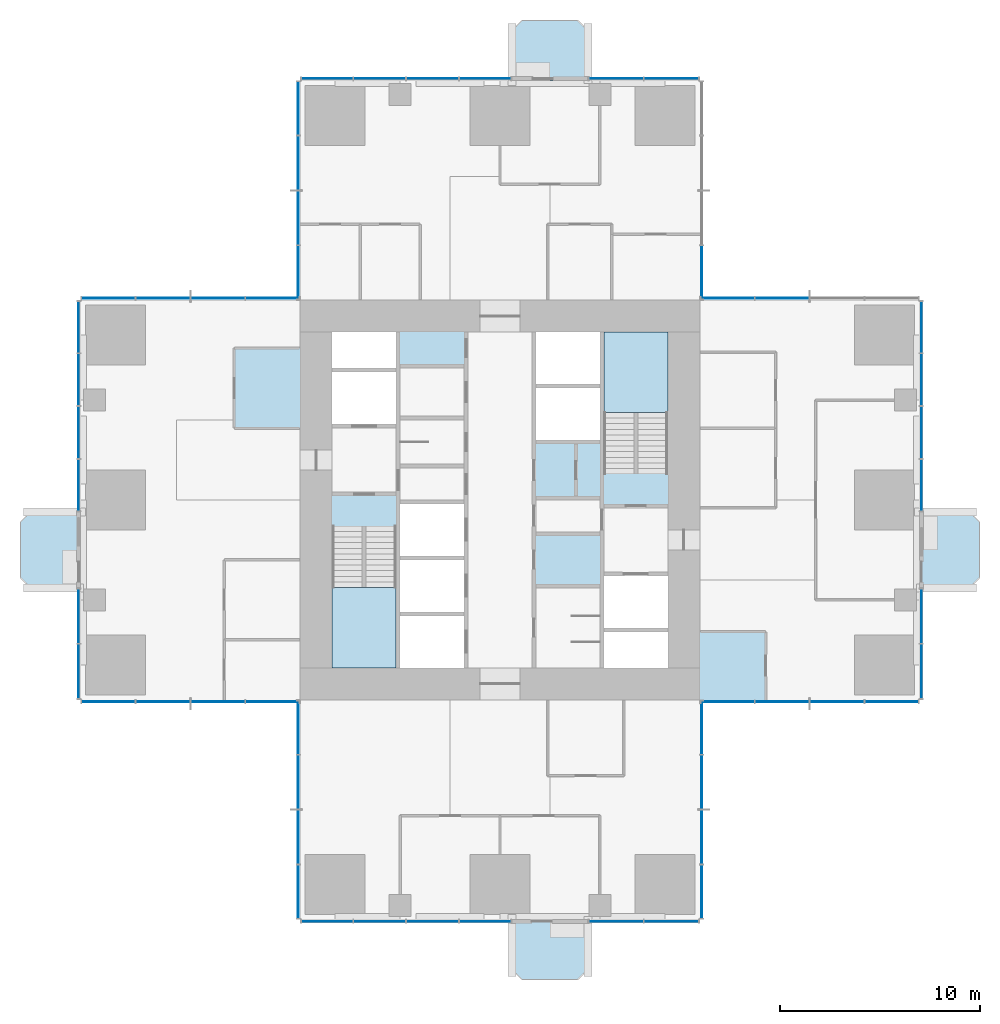
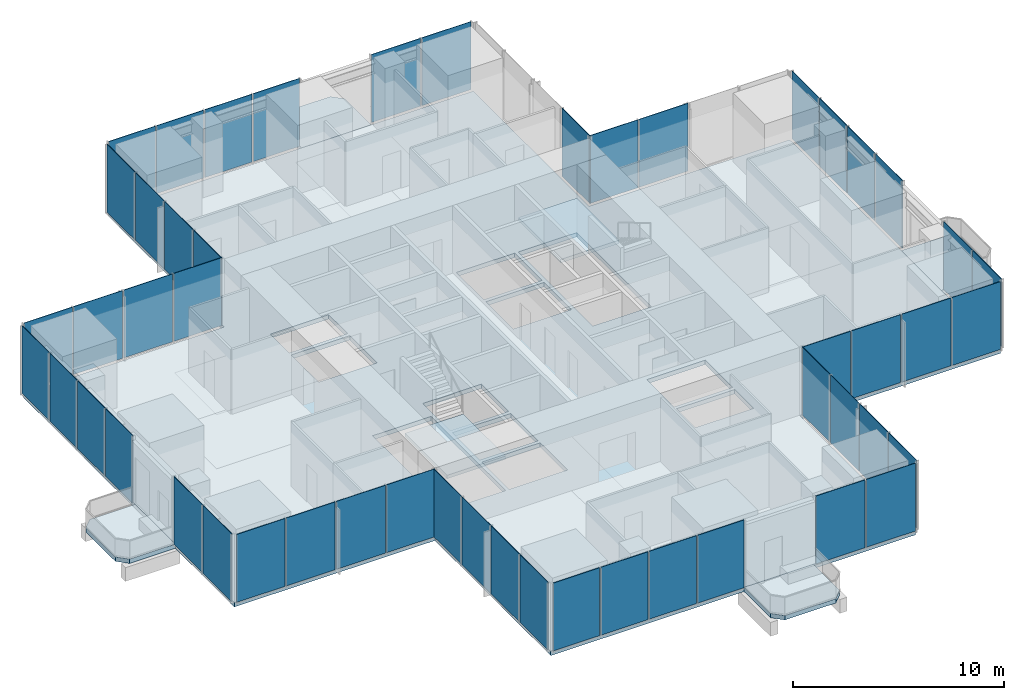
# One storey, part 7 of 13: 51 plates, 7 slabs, 18 elements without a shape of their own.
"""IFC4 building model written with IfcOpenShell, lengths in metres."""

from ifc_helpers import new_model, si_unit, direction, frame, origin, origin_2d, place, context, subcontext, project, spatial, polyline, rectangle, outline, extrude, material, layer, layer_set, type_object, element, aggregate, save


model = new_model("IFC4")

# Units and contexts
model_context = context("Model", 3, precision=1e-05, world=origin(), true_north=direction((0.0, 1.0)))
body_context = subcontext(model_context, "Body", "Model", "MODEL_VIEW")
ifc_project = project(units=[si_unit("LENGTHUNIT", "METRE"), si_unit("AREAUNIT", "SQUARE_METRE"), si_unit("VOLUMEUNIT", "CUBIC_METRE"), si_unit("PLANEANGLEUNIT", "RADIAN"), si_unit("MASSUNIT", "GRAM", prefix="KILO")], contexts=[model_context])

# Site, building, storey
site_placement = place(None, origin())
site = spatial("IfcSite", under=ifc_project, at=site_placement, CompositionType="ELEMENT")
building_placement = place(site_placement, origin())
building = spatial("IfcBuilding", under=site, at=building_placement, Name="Svetlomir Tower", CompositionType="ELEMENT")
storey_placement = place(building_placement, frame((0.0, 0.0, 152.5)))
storey = spatial("IfcBuildingStorey", under=building, at=storey_placement, Name="L36", CompositionType="ELEMENT", Elevation=152.5)

# Slabs
ifc_material_1 = material(Name="Concrete C60/75", Category="concrete")
ifc_layer_1 = layer(ifc_material_1, 0.25)
ifc_layer_set_1 = layer_set([ifc_layer_1], Name="Concrete C60/75")
slab_type_1 = type_object("IfcSlabType", Name="BALCONY SLAB 250", PredefinedType="FLOOR", material=ifc_layer_set_1)
slab_1_placement = place(storey_placement, frame((0.0, 0.0, -0.25)))
element("IfcSlab", 1, at=slab_1_placement, inside=storey, type_object=slab_type_1, Name="L36 S planted balcony", PredefinedType="FLOOR", context=body_context, shape_type="SweptSolid", body=[
    extrude(outline(polyline([(21.60009765625, -2.5), (22.10009765625, -3.0), (24.89990234375, -3.0), (25.39990234375, -2.5), (25.39990234375, 0.0), (21.60009765625, 0.0), (21.60009765625, -2.5)])), origin(), (0.0, 0.0, 1.0), 0.25),
])
slab_2_placement = place(storey_placement, frame((0.0, 0.0, -0.25)))
element("IfcSlab", 2, at=slab_2_placement, inside=storey, type_object=slab_type_1, Name="L36 E planted balcony", PredefinedType="FLOOR", context=body_context, shape_type="SweptSolid", body=[
    extrude(outline(polyline([(42.0, 16.60009765625), (44.5, 16.60009765625), (45.0, 17.10009765625), (45.0, 19.89990234375), (44.5, 20.39990234375), (42.0, 20.39990234375), (42.0, 16.60009765625)])), origin(), (0.0, 0.0, 1.0), 0.25),
])
slab_3_placement = place(storey_placement, frame((0.0, 0.0, -0.25)))
element("IfcSlab", 3, at=slab_3_placement, inside=storey, type_object=slab_type_1, Name="L36 N planted balcony", PredefinedType="FLOOR", context=body_context, shape_type="SweptSolid", body=[
    extrude(outline(polyline([(21.60009765625, 42.0), (25.39990234375, 42.0), (25.39990234375, 44.5), (24.89990234375, 45.0), (22.10009765625, 45.0), (21.60009765625, 44.5), (21.60009765625, 42.0)])), origin(), (0.0, 0.0, 1.0), 0.25),
])
slab_4_placement = place(storey_placement, frame((0.0, 0.0, -0.25)))
element("IfcSlab", 4, at=slab_4_placement, inside=storey, type_object=slab_type_1, Name="L36 W planted balcony", PredefinedType="FLOOR", context=body_context, shape_type="SweptSolid", body=[
    extrude(outline(polyline([(-2.5, 16.60009765625), (0.0, 16.60009765625), (0.0, 20.39990234375), (-2.5, 20.39990234375), (-3.0, 19.89990234375), (-3.0, 17.10009765625), (-2.5, 16.60009765625)])), origin(), (0.0, 0.0, 1.0), 0.25),
])

# Curtain wall, plates
ifc_material_2 = material(Name="Bronze anodised aluminium curtain wall", Category="aluminium")
curtain_wall_type = type_object("IfcCurtainWallType", Name="CURTAIN WALL CW1 TOWER OFFICE", PredefinedType="NOTDEFINED", material=ifc_material_2)
curtain_wall_1_placement = place(storey_placement, origin())
curtain_wall_1 = element("IfcCurtainWall", 5, at=curtain_wall_1_placement, inside=storey, type_object=curtain_wall_type, Name="Curtain wall CW1 L36", PredefinedType="NOTDEFINED")
ifc_material_3 = material(Name="Tinted double glazed unit", Category="glass")
ifc_layer_2 = layer(ifc_material_3, 0.031982421875)
ifc_layer_set_2 = layer_set([ifc_layer_2], Name="Tinted double glazed unit")
plate_type = type_object("IfcPlateType", Name="CW1 GLAZED PANEL 32", PredefinedType="CURTAIN_PANEL", material=ifc_layer_set_2)
plate_1_placement = place(storey_placement, frame((12.34130859375, -0.10009765625, 0.06494140625), z_axis=(0.0, 0.0, 1.0), x_axis=(1.0, 0.0, 0.0)))
plate_1 = element("IfcPlate", 6, at=plate_1_placement, type_object=plate_type, Name="CW1 panel 1.1", PredefinedType="CURTAIN_PANEL", context=body_context, shape_type="SweptSolid", body=[
    extrude(rectangle(XDim=2.552490234375, YDim=0.031982421875, at=origin_2d()), origin(), (0.0, 0.0, 1.0), 3.93505859375),
])
plate_2_placement = place(storey_placement, frame((14.97509765625, -0.10009765625, 0.06494140625), z_axis=(0.0, 0.0, 1.0), x_axis=(1.0, 0.0, 0.0)))
plate_2 = element("IfcPlate", 7, at=plate_2_placement, type_object=plate_type, Name="CW1 panel 2.1", PredefinedType="CURTAIN_PANEL", context=body_context, shape_type="SweptSolid", body=[
    extrude(rectangle(XDim=2.5849609375, YDim=0.031982421875, at=origin_2d()), origin(), (0.0, 0.0, 1.0), 3.93505859375),
])
plate_3_placement = place(storey_placement, frame((17.625, -0.10009765625, 0.06494140625), z_axis=(0.0, 0.0, 1.0), x_axis=(1.0, 0.0, 0.0)))
plate_3 = element("IfcPlate", 8, at=plate_3_placement, type_object=plate_type, Name="CW1 panel 3.1", PredefinedType="CURTAIN_PANEL", context=body_context, shape_type="SweptSolid", body=[
    extrude(rectangle(XDim=2.5849609375, YDim=0.031982421875, at=origin_2d()), origin(), (0.0, 0.0, 1.0), 3.93505859375),
])
plate_4_placement = place(storey_placement, frame((20.2587890625, -0.10009765625, 0.06494140625), z_axis=(0.0, 0.0, 1.0), x_axis=(1.0, 0.0, 0.0)))
plate_4 = element("IfcPlate", 9, at=plate_4_placement, type_object=plate_type, Name="CW1 panel 4.1", PredefinedType="CURTAIN_PANEL", context=body_context, shape_type="SweptSolid", body=[
    extrude(rectangle(XDim=2.552490234375, YDim=0.031982421875, at=origin_2d()), origin(), (0.0, 0.0, 1.0), 3.93505859375),
])
aggregate(curtain_wall_1, [plate_1, plate_2, plate_3, plate_4])

curtain_wall_2_placement = place(storey_placement, origin())
curtain_wall_2 = element("IfcCurtainWall", 10, at=curtain_wall_2_placement, inside=storey, type_object=curtain_wall_type, Name="Curtain wall CW1 L36", PredefinedType="NOTDEFINED")
plate_5_placement = place(storey_placement, frame((26.816162109375, -0.10009765625, 0.06494140625), z_axis=(0.0, 0.0, 1.0), x_axis=(1.0, 0.0, 0.0)))
plate_5 = element("IfcPlate", 11, at=plate_5_placement, type_object=plate_type, Name="CW1 panel 1.1", PredefinedType="CURTAIN_PANEL", context=body_context, shape_type="SweptSolid", body=[
    extrude(rectangle(XDim=2.702392578125, YDim=0.031982421875, at=origin_2d()), origin(), (0.0, 0.0, 1.0), 3.93505859375),
])
plate_6_placement = place(storey_placement, frame((29.583740234375, -0.10009765625, 0.06494140625), z_axis=(0.0, 0.0, 1.0), x_axis=(1.0, 0.0, 0.0)))
plate_6 = element("IfcPlate", 12, at=plate_6_placement, type_object=plate_type, Name="CW1 panel 2.1", PredefinedType="CURTAIN_PANEL", context=body_context, shape_type="SweptSolid", body=[
    extrude(rectangle(XDim=2.702392578125, YDim=0.031982421875, at=origin_2d()), origin(), (0.0, 0.0, 1.0), 3.93505859375),
])
aggregate(curtain_wall_2, [plate_5, plate_6])

curtain_wall_3_placement = place(storey_placement, origin())
curtain_wall_3 = element("IfcCurtainWall", 13, at=curtain_wall_3_placement, inside=storey, type_object=curtain_wall_type, Name="Curtain wall CW1 L36", PredefinedType="NOTDEFINED")
plate_7_placement = place(storey_placement, frame((31.10009765625, 1.391357421875, 0.06494140625), z_axis=(0.0, 0.0, 1.0), x_axis=(0.0, 1.0, 0.0)))
plate_7 = element("IfcPlate", 14, at=plate_7_placement, type_object=plate_type, Name="CW1 panel 1.1", PredefinedType="CURTAIN_PANEL", context=body_context, shape_type="SweptSolid", body=[
    extrude(rectangle(XDim=2.652587890625, YDim=0.031982421875, at=origin_2d()), origin(), (0.0, 0.0, 1.0), 3.93505859375),
])
plate_8_placement = place(storey_placement, frame((31.10009765625, 4.125, 0.06494140625), z_axis=(0.0, 0.0, 1.0), x_axis=(0.0, 1.0, 0.0)))
plate_8 = element("IfcPlate", 15, at=plate_8_placement, type_object=plate_type, Name="CW1 panel 2.1", PredefinedType="CURTAIN_PANEL", context=body_context, shape_type="SweptSolid", body=[
    extrude(rectangle(XDim=2.68505859375, YDim=0.031982421875, at=origin_2d()), origin(), (0.0, 0.0, 1.0), 3.93505859375),
])
plate_9_placement = place(storey_placement, frame((31.10009765625, 6.875, 0.06494140625), z_axis=(0.0, 0.0, 1.0), x_axis=(0.0, 1.0, 0.0)))
plate_9 = element("IfcPlate", 16, at=plate_9_placement, type_object=plate_type, Name="CW1 panel 3.1", PredefinedType="CURTAIN_PANEL", context=body_context, shape_type="SweptSolid", body=[
    extrude(rectangle(XDim=2.68505859375, YDim=0.031982421875, at=origin_2d()), origin(), (0.0, 0.0, 1.0), 3.93505859375),
])
plate_10_placement = place(storey_placement, frame((31.10009765625, 9.608642578125, 0.06494140625), z_axis=(0.0, 0.0, 1.0), x_axis=(0.0, 1.0, 0.0)))
plate_10 = element("IfcPlate", 17, at=plate_10_placement, type_object=plate_type, Name="CW1 panel 4.1", PredefinedType="CURTAIN_PANEL", context=body_context, shape_type="SweptSolid", body=[
    extrude(rectangle(XDim=2.652587890625, YDim=0.031982421875, at=origin_2d()), origin(), (0.0, 0.0, 1.0), 3.93505859375),
])
aggregate(curtain_wall_3, [plate_7, plate_8, plate_9, plate_10])

curtain_wall_4_placement = place(storey_placement, origin())
curtain_wall_4 = element("IfcCurtainWall", 18, at=curtain_wall_4_placement, inside=storey, type_object=curtain_wall_type, Name="Curtain wall CW1 L36", PredefinedType="NOTDEFINED")
plate_11_placement = place(storey_placement, frame((32.391357421875, 10.89990234375, 0.06494140625), z_axis=(0.0, 0.0, 1.0), x_axis=(1.0, 0.0, 0.0)))
plate_11 = element("IfcPlate", 19, at=plate_11_placement, type_object=plate_type, Name="CW1 panel 1.1", PredefinedType="CURTAIN_PANEL", context=body_context, shape_type="SweptSolid", body=[
    extrude(rectangle(XDim=2.652587890625, YDim=0.031982421875, at=origin_2d()), origin(), (0.0, 0.0, 1.0), 3.93505859375),
])
plate_12_placement = place(storey_placement, frame((35.125, 10.89990234375, 0.06494140625), z_axis=(0.0, 0.0, 1.0), x_axis=(1.0, 0.0, 0.0)))
plate_12 = element("IfcPlate", 20, at=plate_12_placement, type_object=plate_type, Name="CW1 panel 2.1", PredefinedType="CURTAIN_PANEL", context=body_context, shape_type="SweptSolid", body=[
    extrude(rectangle(XDim=2.68505859375, YDim=0.031982421875, at=origin_2d()), origin(), (0.0, 0.0, 1.0), 3.93505859375),
])
plate_13_placement = place(storey_placement, frame((37.875, 10.89990234375, 0.06494140625), z_axis=(0.0, 0.0, 1.0), x_axis=(1.0, 0.0, 0.0)))
plate_13 = element("IfcPlate", 21, at=plate_13_placement, type_object=plate_type, Name="CW1 panel 3.1", PredefinedType="CURTAIN_PANEL", context=body_context, shape_type="SweptSolid", body=[
    extrude(rectangle(XDim=2.68505859375, YDim=0.031982421875, at=origin_2d()), origin(), (0.0, 0.0, 1.0), 3.93505859375),
])
plate_14_placement = place(storey_placement, frame((40.608642578125, 10.89990234375, 0.06494140625), z_axis=(0.0, 0.0, 1.0), x_axis=(1.0, 0.0, 0.0)))
plate_14 = element("IfcPlate", 22, at=plate_14_placement, type_object=plate_type, Name="CW1 panel 4.1", PredefinedType="CURTAIN_PANEL", context=body_context, shape_type="SweptSolid", body=[
    extrude(rectangle(XDim=2.652587890625, YDim=0.031982421875, at=origin_2d()), origin(), (0.0, 0.0, 1.0), 3.93505859375),
])
aggregate(curtain_wall_4, [plate_11, plate_12, plate_13, plate_14])

curtain_wall_5_placement = place(storey_placement, origin())
curtain_wall_5 = element("IfcCurtainWall", 23, at=curtain_wall_5_placement, inside=storey, type_object=curtain_wall_type, Name="Curtain wall CW1 L36", PredefinedType="NOTDEFINED")
plate_15_placement = place(storey_placement, frame((42.10009765625, 12.416259765625, 0.06494140625), z_axis=(0.0, 0.0, 1.0), x_axis=(0.0, 1.0, 0.0)))
plate_15 = element("IfcPlate", 24, at=plate_15_placement, type_object=plate_type, Name="CW1 panel 1.1", PredefinedType="CURTAIN_PANEL", context=body_context, shape_type="SweptSolid", body=[
    extrude(rectangle(XDim=2.702392578125, YDim=0.031982421875, at=origin_2d()), origin(), (0.0, 0.0, 1.0), 3.93505859375),
])
plate_16_placement = place(storey_placement, frame((42.10009765625, 15.183837890625, 0.06494140625), z_axis=(0.0, 0.0, 1.0), x_axis=(0.0, 1.0, 0.0)))
plate_16 = element("IfcPlate", 25, at=plate_16_placement, type_object=plate_type, Name="CW1 panel 2.1", PredefinedType="CURTAIN_PANEL", context=body_context, shape_type="SweptSolid", body=[
    extrude(rectangle(XDim=2.702392578125, YDim=0.031982421875, at=origin_2d()), origin(), (0.0, 0.0, 1.0), 3.93505859375),
])
aggregate(curtain_wall_5, [plate_15, plate_16])

curtain_wall_6_placement = place(storey_placement, origin())
curtain_wall_6 = element("IfcCurtainWall", 26, at=curtain_wall_6_placement, inside=storey, type_object=curtain_wall_type, Name="Curtain wall CW1 L36", PredefinedType="NOTDEFINED")
plate_17_placement = place(storey_placement, frame((42.10009765625, 21.7412109375, 0.06494140625), z_axis=(0.0, 0.0, 1.0), x_axis=(0.0, 1.0, 0.0)))
plate_17 = element("IfcPlate", 27, at=plate_17_placement, type_object=plate_type, Name="CW1 panel 1.1", PredefinedType="CURTAIN_PANEL", context=body_context, shape_type="SweptSolid", body=[
    extrude(rectangle(XDim=2.552490234375, YDim=0.031982421875, at=origin_2d()), origin(), (0.0, 0.0, 1.0), 3.93505859375),
])
plate_18_placement = place(storey_placement, frame((42.10009765625, 24.375, 0.06494140625), z_axis=(0.0, 0.0, 1.0), x_axis=(0.0, 1.0, 0.0)))
plate_18 = element("IfcPlate", 28, at=plate_18_placement, type_object=plate_type, Name="CW1 panel 2.1", PredefinedType="CURTAIN_PANEL", context=body_context, shape_type="SweptSolid", body=[
    extrude(rectangle(XDim=2.5849609375, YDim=0.031982421875, at=origin_2d()), origin(), (0.0, 0.0, 1.0), 3.93505859375),
])
plate_19_placement = place(storey_placement, frame((42.10009765625, 27.02490234375, 0.06494140625), z_axis=(0.0, 0.0, 1.0), x_axis=(0.0, 1.0, 0.0)))
plate_19 = element("IfcPlate", 29, at=plate_19_placement, type_object=plate_type, Name="CW1 panel 3.1", PredefinedType="CURTAIN_PANEL", context=body_context, shape_type="SweptSolid", body=[
    extrude(rectangle(XDim=2.5849609375, YDim=0.031982421875, at=origin_2d()), origin(), (0.0, 0.0, 1.0), 3.93505859375),
])
plate_20_placement = place(storey_placement, frame((42.10009765625, 29.65869140625, 0.06494140625), z_axis=(0.0, 0.0, 1.0), x_axis=(0.0, 1.0, 0.0)))
plate_20 = element("IfcPlate", 30, at=plate_20_placement, type_object=plate_type, Name="CW1 panel 4.1", PredefinedType="CURTAIN_PANEL", context=body_context, shape_type="SweptSolid", body=[
    extrude(rectangle(XDim=2.552490234375, YDim=0.031982421875, at=origin_2d()), origin(), (0.0, 0.0, 1.0), 3.93505859375),
])
aggregate(curtain_wall_6, [plate_17, plate_18, plate_19, plate_20])

curtain_wall_7_placement = place(storey_placement, origin())
curtain_wall_7 = element("IfcCurtainWall", 31, at=curtain_wall_7_placement, inside=storey, type_object=curtain_wall_type, Name="Curtain wall CW1 L36", PredefinedType="NOTDEFINED")
plate_21_placement = place(storey_placement, frame((35.125, 31.10009765625, 0.06494140625), z_axis=(0.0, 0.0, 1.0), x_axis=(-1.0, 0.0, 0.0)))
plate_21 = element("IfcPlate", 32, at=plate_21_placement, type_object=plate_type, Name="CW1 panel 3.1", PredefinedType="CURTAIN_PANEL", context=body_context, shape_type="SweptSolid", body=[
    extrude(rectangle(XDim=2.68505859375, YDim=0.031982421875, at=origin_2d()), origin(), (0.0, 0.0, 1.0), 3.93505859375),
])
plate_22_placement = place(storey_placement, frame((32.391357421875, 31.10009765625, 0.06494140625), z_axis=(0.0, 0.0, 1.0), x_axis=(-1.0, 0.0, 0.0)))
plate_22 = element("IfcPlate", 33, at=plate_22_placement, type_object=plate_type, Name="CW1 panel 4.1", PredefinedType="CURTAIN_PANEL", context=body_context, shape_type="SweptSolid", body=[
    extrude(rectangle(XDim=2.652587890625, YDim=0.031982421875, at=origin_2d()), origin(), (0.0, 0.0, 1.0), 3.93505859375),
])
aggregate(curtain_wall_7, [plate_21, plate_22])

# Curtain wall, plate
curtain_wall_8_placement = place(storey_placement, origin())
curtain_wall_8 = element("IfcCurtainWall", 34, at=curtain_wall_8_placement, inside=storey, type_object=curtain_wall_type, Name="Curtain wall CW1 L36", PredefinedType="NOTDEFINED")
plate_23_placement = place(storey_placement, frame((31.10009765625, 32.391357421875, 0.06494140625), z_axis=(0.0, 0.0, 1.0), x_axis=(0.0, 1.0, 0.0)))
plate_23 = element("IfcPlate", 35, at=plate_23_placement, type_object=plate_type, Name="CW1 panel 1.1", PredefinedType="CURTAIN_PANEL", context=body_context, shape_type="SweptSolid", body=[
    extrude(rectangle(XDim=2.652587890625, YDim=0.031982421875, at=origin_2d()), origin(), (0.0, 0.0, 1.0), 3.93505859375),
])
aggregate(curtain_wall_8, [plate_23])

# Curtain wall, plates
curtain_wall_9_placement = place(storey_placement, origin())
curtain_wall_9 = element("IfcCurtainWall", 36, at=curtain_wall_9_placement, inside=storey, type_object=curtain_wall_type, Name="Curtain wall CW1 L36", PredefinedType="NOTDEFINED")
plate_24_placement = place(storey_placement, frame((29.583740234375, 42.10009765625, 0.06494140625), z_axis=(0.0, 0.0, 1.0), x_axis=(-1.0, 0.0, 0.0)))
plate_24 = element("IfcPlate", 37, at=plate_24_placement, type_object=plate_type, Name="CW1 panel 1.1", PredefinedType="CURTAIN_PANEL", context=body_context, shape_type="SweptSolid", body=[
    extrude(rectangle(XDim=2.702392578125, YDim=0.031982421875, at=origin_2d()), origin(), (0.0, 0.0, 1.0), 3.93505859375),
])
plate_25_placement = place(storey_placement, frame((26.816162109375, 42.10009765625, 0.06494140625), z_axis=(0.0, 0.0, 1.0), x_axis=(-1.0, 0.0, 0.0)))
plate_25 = element("IfcPlate", 38, at=plate_25_placement, type_object=plate_type, Name="CW1 panel 2.1", PredefinedType="CURTAIN_PANEL", context=body_context, shape_type="SweptSolid", body=[
    extrude(rectangle(XDim=2.702392578125, YDim=0.031982421875, at=origin_2d()), origin(), (0.0, 0.0, 1.0), 3.93505859375),
])
aggregate(curtain_wall_9, [plate_24, plate_25])

curtain_wall_10_placement = place(storey_placement, origin())
curtain_wall_10 = element("IfcCurtainWall", 39, at=curtain_wall_10_placement, inside=storey, type_object=curtain_wall_type, Name="Curtain wall CW1 L36", PredefinedType="NOTDEFINED")
plate_26_placement = place(storey_placement, frame((20.2587890625, 42.10009765625, 0.06494140625), z_axis=(0.0, 0.0, 1.0), x_axis=(-1.0, 0.0, 0.0)))
plate_26 = element("IfcPlate", 40, at=plate_26_placement, type_object=plate_type, Name="CW1 panel 1.1", PredefinedType="CURTAIN_PANEL", context=body_context, shape_type="SweptSolid", body=[
    extrude(rectangle(XDim=2.552490234375, YDim=0.031982421875, at=origin_2d()), origin(), (0.0, 0.0, 1.0), 3.93505859375),
])
plate_27_placement = place(storey_placement, frame((17.625, 42.10009765625, 0.06494140625), z_axis=(0.0, 0.0, 1.0), x_axis=(-1.0, 0.0, 0.0)))
plate_27 = element("IfcPlate", 41, at=plate_27_placement, type_object=plate_type, Name="CW1 panel 2.1", PredefinedType="CURTAIN_PANEL", context=body_context, shape_type="SweptSolid", body=[
    extrude(rectangle(XDim=2.5849609375, YDim=0.031982421875, at=origin_2d()), origin(), (0.0, 0.0, 1.0), 3.93505859375),
])
plate_28_placement = place(storey_placement, frame((14.97509765625, 42.10009765625, 0.06494140625), z_axis=(0.0, 0.0, 1.0), x_axis=(-1.0, 0.0, 0.0)))
plate_28 = element("IfcPlate", 42, at=plate_28_placement, type_object=plate_type, Name="CW1 panel 3.1", PredefinedType="CURTAIN_PANEL", context=body_context, shape_type="SweptSolid", body=[
    extrude(rectangle(XDim=2.5849609375, YDim=0.031982421875, at=origin_2d()), origin(), (0.0, 0.0, 1.0), 3.93505859375),
])
plate_29_placement = place(storey_placement, frame((12.34130859375, 42.10009765625, 0.06494140625), z_axis=(0.0, 0.0, 1.0), x_axis=(-1.0, 0.0, 0.0)))
plate_29 = element("IfcPlate", 43, at=plate_29_placement, type_object=plate_type, Name="CW1 panel 4.1", PredefinedType="CURTAIN_PANEL", context=body_context, shape_type="SweptSolid", body=[
    extrude(rectangle(XDim=2.552490234375, YDim=0.031982421875, at=origin_2d()), origin(), (0.0, 0.0, 1.0), 3.93505859375),
])
aggregate(curtain_wall_10, [plate_26, plate_27, plate_28, plate_29])

curtain_wall_11_placement = place(storey_placement, origin())
curtain_wall_11 = element("IfcCurtainWall", 44, at=curtain_wall_11_placement, inside=storey, type_object=curtain_wall_type, Name="Curtain wall CW1 L36", PredefinedType="NOTDEFINED")
plate_30_placement = place(storey_placement, frame((10.89990234375, 40.608642578125, 0.06494140625), z_axis=(0.0, 0.0, 1.0), x_axis=(0.0, -1.0, 0.0)))
plate_30 = element("IfcPlate", 45, at=plate_30_placement, type_object=plate_type, Name="CW1 panel 1.1", PredefinedType="CURTAIN_PANEL", context=body_context, shape_type="SweptSolid", body=[
    extrude(rectangle(XDim=2.652587890625, YDim=0.031982421875, at=origin_2d()), origin(), (0.0, 0.0, 1.0), 3.93505859375),
])
plate_31_placement = place(storey_placement, frame((10.89990234375, 37.875, 0.06494140625), z_axis=(0.0, 0.0, 1.0), x_axis=(0.0, -1.0, 0.0)))
plate_31 = element("IfcPlate", 46, at=plate_31_placement, type_object=plate_type, Name="CW1 panel 2.1", PredefinedType="CURTAIN_PANEL", context=body_context, shape_type="SweptSolid", body=[
    extrude(rectangle(XDim=2.68505859375, YDim=0.031982421875, at=origin_2d()), origin(), (0.0, 0.0, 1.0), 3.93505859375),
])
plate_32_placement = place(storey_placement, frame((10.89990234375, 35.125, 0.06494140625), z_axis=(0.0, 0.0, 1.0), x_axis=(0.0, -1.0, 0.0)))
plate_32 = element("IfcPlate", 47, at=plate_32_placement, type_object=plate_type, Name="CW1 panel 3.1", PredefinedType="CURTAIN_PANEL", context=body_context, shape_type="SweptSolid", body=[
    extrude(rectangle(XDim=2.68505859375, YDim=0.031982421875, at=origin_2d()), origin(), (0.0, 0.0, 1.0), 3.93505859375),
])
plate_33_placement = place(storey_placement, frame((10.89990234375, 32.391357421875, 0.06494140625), z_axis=(0.0, 0.0, 1.0), x_axis=(0.0, -1.0, 0.0)))
plate_33 = element("IfcPlate", 48, at=plate_33_placement, type_object=plate_type, Name="CW1 panel 4.1", PredefinedType="CURTAIN_PANEL", context=body_context, shape_type="SweptSolid", body=[
    extrude(rectangle(XDim=2.652587890625, YDim=0.031982421875, at=origin_2d()), origin(), (0.0, 0.0, 1.0), 3.93505859375),
])
aggregate(curtain_wall_11, [plate_30, plate_31, plate_32, plate_33])

curtain_wall_12_placement = place(storey_placement, origin())
curtain_wall_12 = element("IfcCurtainWall", 49, at=curtain_wall_12_placement, inside=storey, type_object=curtain_wall_type, Name="Curtain wall CW1 L36", PredefinedType="NOTDEFINED")
plate_34_placement = place(storey_placement, frame((9.608642578125, 31.10009765625, 0.06494140625), z_axis=(0.0, 0.0, 1.0), x_axis=(-1.0, 0.0, 0.0)))
plate_34 = element("IfcPlate", 50, at=plate_34_placement, type_object=plate_type, Name="CW1 panel 1.1", PredefinedType="CURTAIN_PANEL", context=body_context, shape_type="SweptSolid", body=[
    extrude(rectangle(XDim=2.652587890625, YDim=0.031982421875, at=origin_2d()), origin(), (0.0, 0.0, 1.0), 3.93505859375),
])
plate_35_placement = place(storey_placement, frame((6.875, 31.10009765625, 0.06494140625), z_axis=(0.0, 0.0, 1.0), x_axis=(-1.0, 0.0, 0.0)))
plate_35 = element("IfcPlate", 51, at=plate_35_placement, type_object=plate_type, Name="CW1 panel 2.1", PredefinedType="CURTAIN_PANEL", context=body_context, shape_type="SweptSolid", body=[
    extrude(rectangle(XDim=2.68505859375, YDim=0.031982421875, at=origin_2d()), origin(), (0.0, 0.0, 1.0), 3.93505859375),
])
plate_36_placement = place(storey_placement, frame((4.125, 31.10009765625, 0.06494140625), z_axis=(0.0, 0.0, 1.0), x_axis=(-1.0, 0.0, 0.0)))
plate_36 = element("IfcPlate", 52, at=plate_36_placement, type_object=plate_type, Name="CW1 panel 3.1", PredefinedType="CURTAIN_PANEL", context=body_context, shape_type="SweptSolid", body=[
    extrude(rectangle(XDim=2.68505859375, YDim=0.031982421875, at=origin_2d()), origin(), (0.0, 0.0, 1.0), 3.93505859375),
])
plate_37_placement = place(storey_placement, frame((1.391357421875, 31.10009765625, 0.06494140625), z_axis=(0.0, 0.0, 1.0), x_axis=(-1.0, 0.0, 0.0)))
plate_37 = element("IfcPlate", 53, at=plate_37_placement, type_object=plate_type, Name="CW1 panel 4.1", PredefinedType="CURTAIN_PANEL", context=body_context, shape_type="SweptSolid", body=[
    extrude(rectangle(XDim=2.652587890625, YDim=0.031982421875, at=origin_2d()), origin(), (0.0, 0.0, 1.0), 3.93505859375),
])
aggregate(curtain_wall_12, [plate_34, plate_35, plate_36, plate_37])

curtain_wall_13_placement = place(storey_placement, origin())
curtain_wall_13 = element("IfcCurtainWall", 54, at=curtain_wall_13_placement, inside=storey, type_object=curtain_wall_type, Name="Curtain wall CW1 L36", PredefinedType="NOTDEFINED")
plate_38_placement = place(storey_placement, frame((-0.10009765625, 29.65869140625, 0.06494140625), z_axis=(0.0, 0.0, 1.0), x_axis=(0.0, -1.0, 0.0)))
plate_38 = element("IfcPlate", 55, at=plate_38_placement, type_object=plate_type, Name="CW1 panel 1.1", PredefinedType="CURTAIN_PANEL", context=body_context, shape_type="SweptSolid", body=[
    extrude(rectangle(XDim=2.552490234375, YDim=0.031982421875, at=origin_2d()), origin(), (0.0, 0.0, 1.0), 3.93505859375),
])
plate_39_placement = place(storey_placement, frame((-0.10009765625, 27.02490234375, 0.06494140625), z_axis=(0.0, 0.0, 1.0), x_axis=(0.0, -1.0, 0.0)))
plate_39 = element("IfcPlate", 56, at=plate_39_placement, type_object=plate_type, Name="CW1 panel 2.1", PredefinedType="CURTAIN_PANEL", context=body_context, shape_type="SweptSolid", body=[
    extrude(rectangle(XDim=2.5849609375, YDim=0.031982421875, at=origin_2d()), origin(), (0.0, 0.0, 1.0), 3.93505859375),
])
plate_40_placement = place(storey_placement, frame((-0.10009765625, 24.375, 0.06494140625), z_axis=(0.0, 0.0, 1.0), x_axis=(0.0, -1.0, 0.0)))
plate_40 = element("IfcPlate", 57, at=plate_40_placement, type_object=plate_type, Name="CW1 panel 3.1", PredefinedType="CURTAIN_PANEL", context=body_context, shape_type="SweptSolid", body=[
    extrude(rectangle(XDim=2.5849609375, YDim=0.031982421875, at=origin_2d()), origin(), (0.0, 0.0, 1.0), 3.93505859375),
])
plate_41_placement = place(storey_placement, frame((-0.10009765625, 21.7412109375, 0.06494140625), z_axis=(0.0, 0.0, 1.0), x_axis=(0.0, -1.0, 0.0)))
plate_41 = element("IfcPlate", 58, at=plate_41_placement, type_object=plate_type, Name="CW1 panel 4.1", PredefinedType="CURTAIN_PANEL", context=body_context, shape_type="SweptSolid", body=[
    extrude(rectangle(XDim=2.552490234375, YDim=0.031982421875, at=origin_2d()), origin(), (0.0, 0.0, 1.0), 3.93505859375),
])
aggregate(curtain_wall_13, [plate_38, plate_39, plate_40, plate_41])

curtain_wall_14_placement = place(storey_placement, origin())
curtain_wall_14 = element("IfcCurtainWall", 59, at=curtain_wall_14_placement, inside=storey, type_object=curtain_wall_type, Name="Curtain wall CW1 L36", PredefinedType="NOTDEFINED")
plate_42_placement = place(storey_placement, frame((-0.10009765625, 15.183837890625, 0.06494140625), z_axis=(0.0, 0.0, 1.0), x_axis=(0.0, -1.0, 0.0)))
plate_42 = element("IfcPlate", 60, at=plate_42_placement, type_object=plate_type, Name="CW1 panel 1.1", PredefinedType="CURTAIN_PANEL", context=body_context, shape_type="SweptSolid", body=[
    extrude(rectangle(XDim=2.702392578125, YDim=0.031982421875, at=origin_2d()), origin(), (0.0, 0.0, 1.0), 3.93505859375),
])
plate_43_placement = place(storey_placement, frame((-0.10009765625, 12.416259765625, 0.06494140625), z_axis=(0.0, 0.0, 1.0), x_axis=(0.0, -1.0, 0.0)))
plate_43 = element("IfcPlate", 61, at=plate_43_placement, type_object=plate_type, Name="CW1 panel 2.1", PredefinedType="CURTAIN_PANEL", context=body_context, shape_type="SweptSolid", body=[
    extrude(rectangle(XDim=2.702392578125, YDim=0.031982421875, at=origin_2d()), origin(), (0.0, 0.0, 1.0), 3.93505859375),
])
aggregate(curtain_wall_14, [plate_42, plate_43])

curtain_wall_15_placement = place(storey_placement, origin())
curtain_wall_15 = element("IfcCurtainWall", 62, at=curtain_wall_15_placement, inside=storey, type_object=curtain_wall_type, Name="Curtain wall CW1 L36", PredefinedType="NOTDEFINED")
plate_44_placement = place(storey_placement, frame((1.391357421875, 10.89990234375, 0.06494140625), z_axis=(0.0, 0.0, 1.0), x_axis=(1.0, 0.0, 0.0)))
plate_44 = element("IfcPlate", 63, at=plate_44_placement, type_object=plate_type, Name="CW1 panel 1.1", PredefinedType="CURTAIN_PANEL", context=body_context, shape_type="SweptSolid", body=[
    extrude(rectangle(XDim=2.652587890625, YDim=0.031982421875, at=origin_2d()), origin(), (0.0, 0.0, 1.0), 3.93505859375),
])
plate_45_placement = place(storey_placement, frame((4.125, 10.89990234375, 0.06494140625), z_axis=(0.0, 0.0, 1.0), x_axis=(1.0, 0.0, 0.0)))
plate_45 = element("IfcPlate", 64, at=plate_45_placement, type_object=plate_type, Name="CW1 panel 2.1", PredefinedType="CURTAIN_PANEL", context=body_context, shape_type="SweptSolid", body=[
    extrude(rectangle(XDim=2.68505859375, YDim=0.031982421875, at=origin_2d()), origin(), (0.0, 0.0, 1.0), 3.93505859375),
])
plate_46_placement = place(storey_placement, frame((6.875, 10.89990234375, 0.06494140625), z_axis=(0.0, 0.0, 1.0), x_axis=(1.0, 0.0, 0.0)))
plate_46 = element("IfcPlate", 65, at=plate_46_placement, type_object=plate_type, Name="CW1 panel 3.1", PredefinedType="CURTAIN_PANEL", context=body_context, shape_type="SweptSolid", body=[
    extrude(rectangle(XDim=2.68505859375, YDim=0.031982421875, at=origin_2d()), origin(), (0.0, 0.0, 1.0), 3.93505859375),
])
plate_47_placement = place(storey_placement, frame((9.608642578125, 10.89990234375, 0.06494140625), z_axis=(0.0, 0.0, 1.0), x_axis=(1.0, 0.0, 0.0)))
plate_47 = element("IfcPlate", 66, at=plate_47_placement, type_object=plate_type, Name="CW1 panel 4.1", PredefinedType="CURTAIN_PANEL", context=body_context, shape_type="SweptSolid", body=[
    extrude(rectangle(XDim=2.652587890625, YDim=0.031982421875, at=origin_2d()), origin(), (0.0, 0.0, 1.0), 3.93505859375),
])
aggregate(curtain_wall_15, [plate_44, plate_45, plate_46, plate_47])

curtain_wall_16_placement = place(storey_placement, origin())
curtain_wall_16 = element("IfcCurtainWall", 67, at=curtain_wall_16_placement, inside=storey, type_object=curtain_wall_type, Name="Curtain wall CW1 L36", PredefinedType="NOTDEFINED")
plate_48_placement = place(storey_placement, frame((10.89990234375, 9.608642578125, 0.06494140625), z_axis=(0.0, 0.0, 1.0), x_axis=(0.0, -1.0, 0.0)))
plate_48 = element("IfcPlate", 68, at=plate_48_placement, type_object=plate_type, Name="CW1 panel 1.1", PredefinedType="CURTAIN_PANEL", context=body_context, shape_type="SweptSolid", body=[
    extrude(rectangle(XDim=2.652587890625, YDim=0.031982421875, at=origin_2d()), origin(), (0.0, 0.0, 1.0), 3.93505859375),
])
plate_49_placement = place(storey_placement, frame((10.89990234375, 6.875, 0.06494140625), z_axis=(0.0, 0.0, 1.0), x_axis=(0.0, -1.0, 0.0)))
plate_49 = element("IfcPlate", 69, at=plate_49_placement, type_object=plate_type, Name="CW1 panel 2.1", PredefinedType="CURTAIN_PANEL", context=body_context, shape_type="SweptSolid", body=[
    extrude(rectangle(XDim=2.68505859375, YDim=0.031982421875, at=origin_2d()), origin(), (0.0, 0.0, 1.0), 3.93505859375),
])
plate_50_placement = place(storey_placement, frame((10.89990234375, 4.125, 0.06494140625), z_axis=(0.0, 0.0, 1.0), x_axis=(0.0, -1.0, 0.0)))
plate_50 = element("IfcPlate", 70, at=plate_50_placement, type_object=plate_type, Name="CW1 panel 3.1", PredefinedType="CURTAIN_PANEL", context=body_context, shape_type="SweptSolid", body=[
    extrude(rectangle(XDim=2.68505859375, YDim=0.031982421875, at=origin_2d()), origin(), (0.0, 0.0, 1.0), 3.93505859375),
])
plate_51_placement = place(storey_placement, frame((10.89990234375, 1.391357421875, 0.06494140625), z_axis=(0.0, 0.0, 1.0), x_axis=(0.0, -1.0, 0.0)))
plate_51 = element("IfcPlate", 71, at=plate_51_placement, type_object=plate_type, Name="CW1 panel 4.1", PredefinedType="CURTAIN_PANEL", context=body_context, shape_type="SweptSolid", body=[
    extrude(rectangle(XDim=2.652587890625, YDim=0.031982421875, at=origin_2d()), origin(), (0.0, 0.0, 1.0), 3.93505859375),
])
aggregate(curtain_wall_16, [plate_48, plate_49, plate_50, plate_51])

# Slab
ifc_material_4 = material(Name="Concrete C60/75", Category="concrete")
ifc_layer_3 = layer(ifc_material_4, 0.25)
ifc_layer_set_3 = layer_set([ifc_layer_3], Name="Concrete C60/75")
slab_type_2 = type_object("IfcSlabType", Name="FLOOR SLAB 250", PredefinedType="FLOOR", material=ifc_layer_set_3)
slab_5_placement = place(storey_placement, frame((0.0, 0.0, -0.25)))
element("IfcSlab", 72, at=slab_5_placement, inside=storey, type_object=slab_type_2, Name="L36 floor slab", PredefinedType="FLOOR", context=body_context, shape_type="SweptSolid", body=[
    extrude(outline(polyline([(11.0, 0.0), (31.0, 0.0), (31.0, 11.0), (42.0, 11.0), (42.0, 31.0), (31.0, 31.0), (31.0, 42.0), (11.0, 42.0), (11.0, 31.0), (0.0, 31.0), (0.0, 11.0), (11.0, 11.0), (11.0, 0.0)]), holes=[polyline([(12.60009765625, 24.800048828125), (15.800048828125, 24.800048828125), (15.800048828125, 27.39990234375), (12.60009765625, 27.39990234375), (12.60009765625, 24.800048828125)]), polyline([(26.199951171875, 14.60009765625), (29.39990234375, 14.60009765625), (29.39990234375, 17.199951171875), (26.199951171875, 17.199951171875), (26.199951171875, 14.60009765625)]), polyline([(16.0, 12.60009765625), (19.199951171875, 12.60009765625), (19.199951171875, 15.199951171875), (16.0, 15.199951171875), (16.0, 12.60009765625)]), polyline([(16.0, 15.39990234375), (19.199951171875, 15.39990234375), (19.199951171875, 18.0), (16.0, 18.0), (16.0, 15.39990234375)]), polyline([(16.0, 18.199951171875), (19.199951171875, 18.199951171875), (19.199951171875, 20.800048828125), (16.0, 20.800048828125), (16.0, 18.199951171875)]), polyline([(22.800048828125, 24.0), (26.0, 24.0), (26.0, 26.60009765625), (22.800048828125, 26.60009765625), (22.800048828125, 24.0)]), polyline([(22.800048828125, 26.800048828125), (26.0, 26.800048828125), (26.0, 29.39990234375), (22.800048828125, 29.39990234375), (22.800048828125, 26.800048828125)]), polyline([(12.60009765625, 27.60009765625), (15.800048828125, 27.60009765625), (15.800048828125, 29.39990234375), (12.60009765625, 29.39990234375), (12.60009765625, 27.60009765625)]), polyline([(26.199951171875, 12.60009765625), (29.39990234375, 12.60009765625), (29.39990234375, 14.39990234375), (26.199951171875, 14.39990234375), (26.199951171875, 12.60009765625)]), polyline([(12.60009765625, 12.60009765625), (15.800048828125, 12.60009765625), (15.800048828125, 19.679931640625), (12.60009765625, 19.679931640625), (12.60009765625, 12.60009765625)]), polyline([(26.199951171875, 22.320068359375), (29.39990234375, 22.320068359375), (29.39990234375, 29.39990234375), (26.199951171875, 29.39990234375), (26.199951171875, 22.320068359375)])]), origin(), (0.0, 0.0, 1.0), 0.25),
])

# Stair, slab
ifc_material_5 = material(Name="Concrete C60/75", Category="concrete")
stair_type = type_object("IfcStairType", Name="EXIT STAIR 3200 RISE 4000", PredefinedType="HALF_TURN_STAIR", material=ifc_material_5)
stair_1_placement = place(storey_placement, origin())
stair_1 = element("IfcStair", 73, at=stair_1_placement, inside=storey, type_object=stair_type, Name="Stair S1 L36 to L37", PredefinedType="HALF_TURN_STAIR")
ifc_material_6 = material(Name="Concrete C60/75", Category="concrete")
ifc_layer_4 = layer(ifc_material_6, 0.199951171875)
ifc_layer_set_4 = layer_set([ifc_layer_4], Name="Concrete C60/75")
slab_type_3 = type_object("IfcSlabType", Name="STAIR LANDING 200", PredefinedType="LANDING", material=ifc_layer_set_4)
slab_6_placement = place(storey_placement, frame((0.0, 0.0, 1.800048828125)))
slab_6 = element("IfcSlab", 74, at=slab_6_placement, type_object=slab_type_3, Name="S1 landing 1", PredefinedType="LANDING", context=body_context, shape_type="SweptSolid", body=[
    extrude(outline(polyline([(12.60009765625, 12.60009765625), (15.800048828125, 12.60009765625), (15.800048828125, 16.6201171875), (12.60009765625, 16.6201171875), (12.60009765625, 12.60009765625)])), origin(), (0.0, 0.0, 1.0), 0.199951171875),
])
aggregate(stair_1, [slab_6])

stair_2_placement = place(storey_placement, origin())
stair_2 = element("IfcStair", 75, at=stair_2_placement, inside=storey, type_object=stair_type, Name="Stair S2 L36 to L37", PredefinedType="HALF_TURN_STAIR")
slab_7_placement = place(storey_placement, frame((0.0, 0.0, 1.800048828125)))
slab_7 = element("IfcSlab", 76, at=slab_7_placement, type_object=slab_type_3, Name="S2 landing 1", PredefinedType="LANDING", context=body_context, shape_type="SweptSolid", body=[
    extrude(outline(polyline([(26.199951171875, 25.3798828125), (29.39990234375, 25.3798828125), (29.39990234375, 29.39990234375), (26.199951171875, 29.39990234375), (26.199951171875, 25.3798828125)])), origin(), (0.0, 0.0, 1.0), 0.199951171875),
])
aggregate(stair_2, [slab_7])

save(model, "model.ifc")
